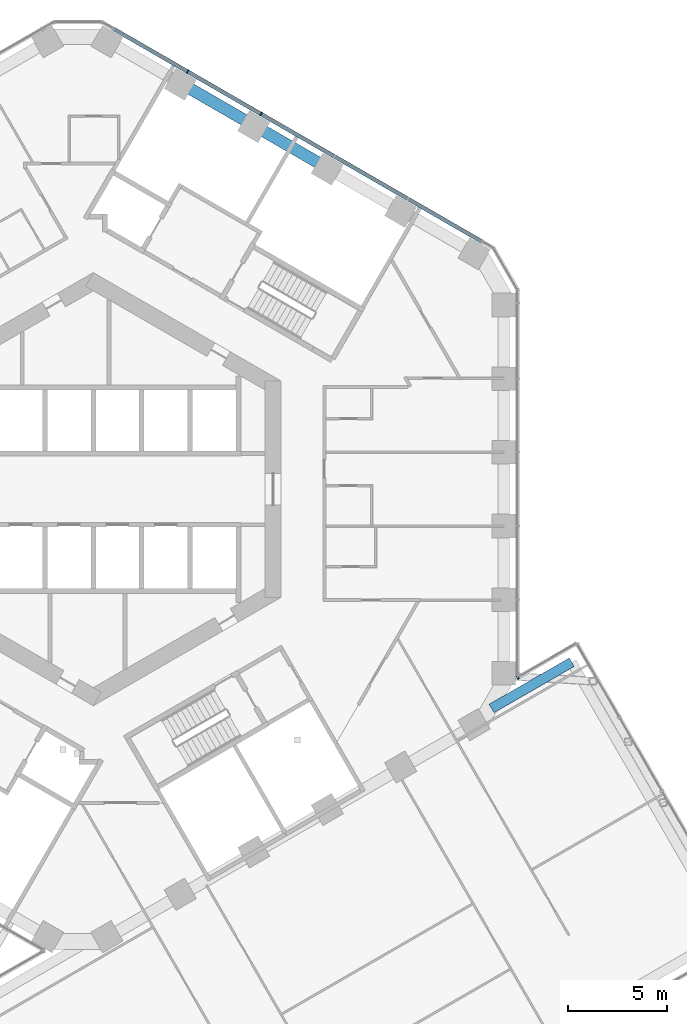
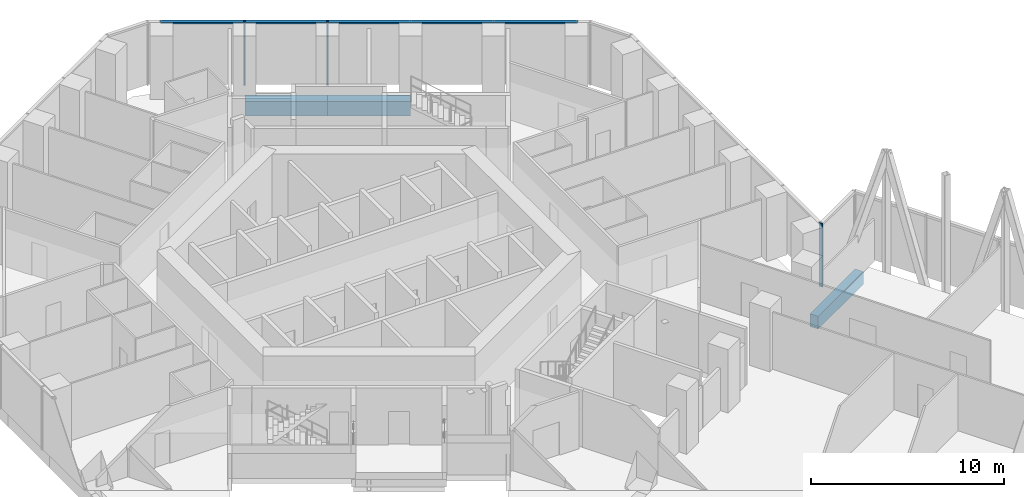
# One storey, part 7 of 27: 4 members, 3 beams, 2 elements without a shape of their own.
"""IFC4 building model written with IfcOpenShell, lengths in metres."""

from ifc_helpers import new_model, si_unit, direction, frame, origin, origin_2d, place, context, subcontext, project, spatial, rectangle, extrude, material, layer, layer_set, material_profile, profile_set, type_object, element, aggregate, save


model = new_model("IFC4")

# Units and contexts
model_context = context("Model", 3, precision=1e-05, world=origin(), true_north=direction((0.0, 1.0)))
body_context = subcontext(model_context, "Body", "Model", "MODEL_VIEW")
ifc_project = project(units=[si_unit("LENGTHUNIT", "METRE"), si_unit("AREAUNIT", "SQUARE_METRE"), si_unit("VOLUMEUNIT", "CUBIC_METRE"), si_unit("PLANEANGLEUNIT", "RADIAN"), si_unit("MASSUNIT", "GRAM", prefix="KILO")], contexts=[model_context])

# Site, building, storey
site_placement = place(None, origin())
site = spatial("IfcSite", under=ifc_project, at=site_placement, CompositionType="ELEMENT")
building_placement = place(site_placement, origin())
building = spatial("IfcBuilding", under=site, at=building_placement, Name="Ayvan Gate Tower", CompositionType="ELEMENT")
storey_placement = place(building_placement, frame((0.0, 0.0, 70.300048828125)))
storey = spatial("IfcBuildingStorey", under=building, at=storey_placement, Name="L18", CompositionType="ELEMENT", Elevation=70.300048828125)

# Beams
ifc_material_1 = material(Name="Concrete C40/50", Category="concrete")
ifc_material_profile_1 = material_profile(ifc_material_1, rectangle(XDim=0.5, YDim=0.800048828125, at=origin_2d()), Name="RC 500x800")
ifc_profile_set_1 = profile_set([ifc_material_profile_1], Name="Concrete C40/50")
beam_type_1 = type_object("IfcBeamType", Name="Sky bar edge beam RC 500x800 C40/50", PredefinedType="BEAM", material=ifc_profile_set_1)
beam_placement = place(storey_placement, frame((20.171142578125, -11.104736328125, -0.800048828125), z_axis=(0.866027601604, 0.499996193246, 0.0), x_axis=(-0.499996193246, 0.866027601604, 0.0)))
element("IfcBeam", 1, at=beam_placement, inside=storey, type_object=beam_type_1, Name="EB-B1-L18-1", PredefinedType="BEAM", context=body_context, shape_type="SweptSolid", body=[
    extrude(rectangle(XDim=0.5, YDim=0.800048828125, at=origin_2d()), origin(), (0.0, 0.0, 1.0), 4.68359375),
])
ifc_material_profile_2 = material_profile(ifc_material_1, rectangle(XDim=0.60009765625, YDim=0.89990234375, at=origin_2d()), Name="RC 600x900")
ifc_profile_set_2 = profile_set([ifc_material_profile_2], Name="Concrete C40/50")
beam_type_2 = type_object("IfcBeamType", Name="Spandrel beam RC 600x900 C40/50", PredefinedType="BEAM", material=ifc_profile_set_2)
for number, where, z_axis, x_axis, name in (
    (2, (11.864013671875, 16.2646484375, -0.85009765625), (-0.866039452998, 0.499975665259, 0.0), (-0.499975665259, -0.866039452998, 0.0), "SB-L18-9"),
    (3, (8.153564453125, 18.40673828125, -0.85009765625), (-0.866039452998, 0.499975665259, 0.0), (-0.499975665259, -0.866039452998, 0.0), "SB-L18-10"),
):
    element("IfcBeam", number, at=place(storey_placement, frame(where, z_axis=z_axis, x_axis=x_axis)), inside=storey, type_object=beam_type_2, Name=name, PredefinedType="BEAM", context=body_context, shape_type="SweptSolid", body=[
        extrude(rectangle(XDim=0.60009765625, YDim=0.89990234375, at=origin_2d()), origin(), (0.0, 0.0, 1.0), 4.284423828125),
    ])

# Curtain wall, members
ifc_material_2 = material(Name="Bronze anodised aluminium", Category="aluminium")
ifc_layer_1 = layer(ifc_material_2, 0.199951171875)
ifc_layer_set_1 = layer_set([ifc_layer_1], Name="Bronze anodised aluminium")
curtain_wall_type_1 = type_object("IfcCurtainWallType", Name="Stick curtain wall CW-1", PredefinedType="NOTDEFINED", material=ifc_layer_set_1)
curtain_wall_1_placement = place(storey_placement, origin())
curtain_wall_1 = element("IfcCurtainWall", 4, at=curtain_wall_1_placement, inside=storey, type_object=curtain_wall_type_1, Name="Stick curtain wall CW-1 L18", PredefinedType="NOTDEFINED")
ifc_material_profile_3 = material_profile(ifc_material_2, rectangle(XDim=0.199951171875, YDim=0.06005859375, at=origin_2d()), Name="Stick curtain wall CW-1 mullion 200 x 60")
ifc_profile_set_3 = profile_set([ifc_material_profile_3], Name="Bronze anodised aluminium")
member_type_1 = type_object("IfcMemberType", Name="Stick curtain wall CW-1 mullion 200 x 60", PredefinedType="MULLION", material=ifc_profile_set_3)
member_1_placement = place(storey_placement, frame((8.49072265625, 19.003173828125, 0.0), z_axis=(0.0, 0.0, 1.0), x_axis=(0.5, 0.866025403784, 0.0)))
member_1 = element("IfcMember", 5, at=member_1_placement, type_object=member_type_1, Name="CW-1 mullion 4", PredefinedType="MULLION", context=body_context, shape_type="SweptSolid", body=[
    extrude(rectangle(XDim=0.199951171875, YDim=0.06005859375, at=origin_2d()), origin(), (0.0, 0.0, 1.0), 4.0),
])
member_2_placement = place(storey_placement, frame((4.771240234375, 21.150634765625, 0.0), z_axis=(0.0, 0.0, 1.0), x_axis=(0.5, 0.866025403784, 0.0)))
member_2 = element("IfcMember", 6, at=member_2_placement, type_object=member_type_1, Name="CW-1 mullion 5", PredefinedType="MULLION", context=body_context, shape_type="SweptSolid", body=[
    extrude(rectangle(XDim=0.199951171875, YDim=0.06005859375, at=origin_2d()), origin(), (0.0, 0.0, 1.0), 4.0),
])
ifc_material_profile_4 = material_profile(ifc_material_2, rectangle(XDim=0.199951171875, YDim=0.1201171875, at=origin_2d()), Name="Stick curtain wall CW-1 transom 200 x 120")
ifc_profile_set_4 = profile_set([ifc_material_profile_4], Name="Bronze anodised aluminium")
member_type_2 = type_object("IfcMemberType", Name="Stick curtain wall CW-1 transom 200 x 120", PredefinedType="USERDEFINED", material=ifc_profile_set_4)
member_3_placement = place(storey_placement, frame((19.6884765625, 12.5380859375, 3.93994140625), z_axis=(-0.86602306078, 0.50000405818, 0.0), x_axis=(-0.50000405818, -0.86602306078, 0.0)))
member_3 = element("IfcMember", 7, at=member_3_placement, type_object=member_type_2, Name="CW-1 transom 1", ObjectType="TRANSOM", PredefinedType="USERDEFINED", context=body_context, shape_type="SweptSolid", body=[
    extrude(rectangle(XDim=0.199951171875, YDim=0.1201171875, at=origin_2d()), origin(), (0.0, 0.0, 1.0), 21.563232421875),
])
aggregate(curtain_wall_1, [member_1, member_2, member_3])

# Curtain wall, member
ifc_layer_2 = layer(ifc_material_2, 0.199951171875)
ifc_layer_set_2 = layer_set([ifc_layer_2], Name="Bronze anodised aluminium")
curtain_wall_type_2 = type_object("IfcCurtainWallType", Name="Stick curtain wall CW-4", PredefinedType="NOTDEFINED", material=ifc_layer_set_2)
curtain_wall_2_placement = place(storey_placement, origin())
curtain_wall_2 = element("IfcCurtainWall", 8, at=curtain_wall_2_placement, inside=storey, type_object=curtain_wall_type_2, Name="Stick curtain wall CW-4 L18", PredefinedType="NOTDEFINED")
ifc_material_profile_5 = material_profile(ifc_material_2, rectangle(XDim=0.199951171875, YDim=0.080078125, at=origin_2d()), Name="Stick curtain wall CW-4 mullion 200 x 80")
ifc_profile_set_5 = profile_set([ifc_material_profile_5], Name="Bronze anodised aluminium")
member_type_3 = type_object("IfcMemberType", Name="Stick curtain wall CW-4 mullion 200 x 80", PredefinedType="MULLION", material=ifc_profile_set_5)
member_4_placement = place(storey_placement, frame((21.49365234375, -9.532958984375, 0.0), z_axis=(0.0, 0.0, 1.0), x_axis=(-0.5, 0.866025403784, 0.0)))
member_4 = element("IfcMember", 9, at=member_4_placement, type_object=member_type_3, Name="CW-4 mullion 2", PredefinedType="MULLION", context=body_context, shape_type="SweptSolid", body=[
    extrude(rectangle(XDim=0.199951171875, YDim=0.080078125, at=origin_2d()), origin(), (0.0, 0.0, 1.0), 4.0),
])
aggregate(curtain_wall_2, [member_4])

save(model, "model.ifc")
